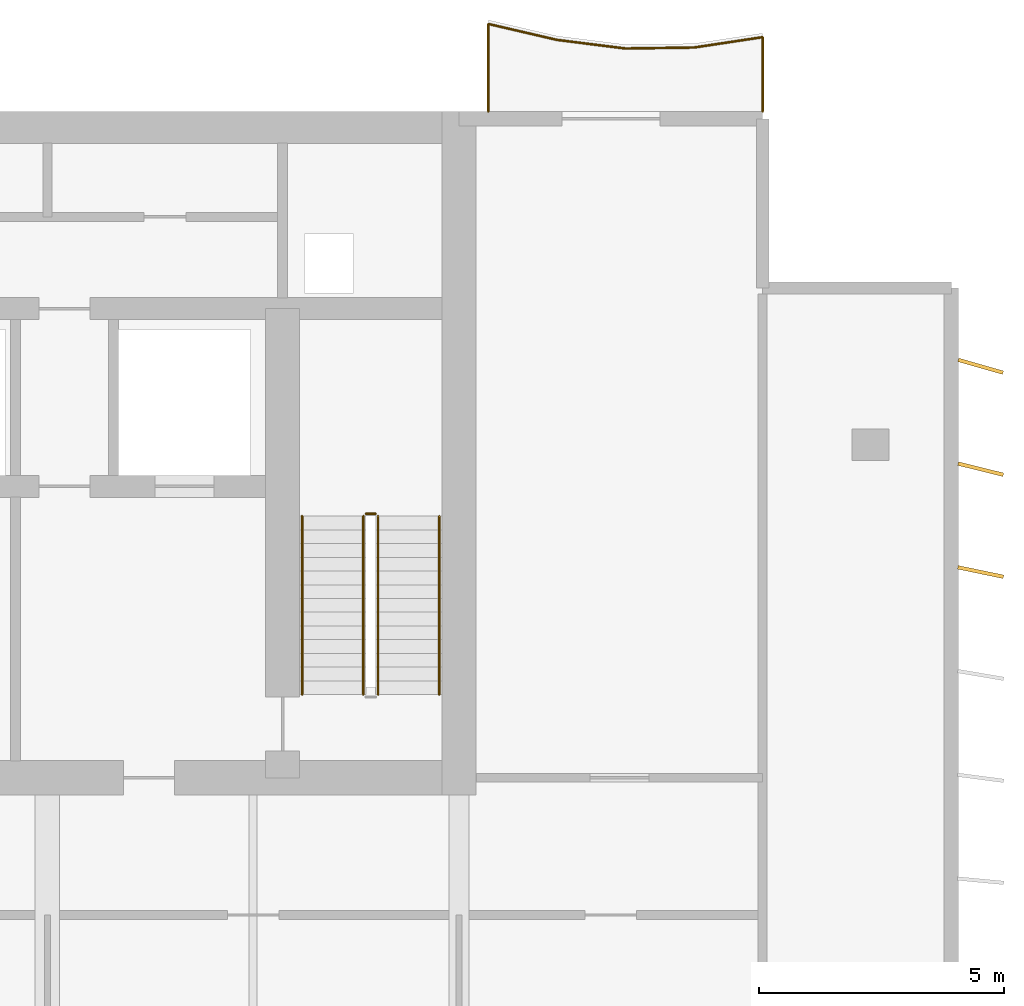
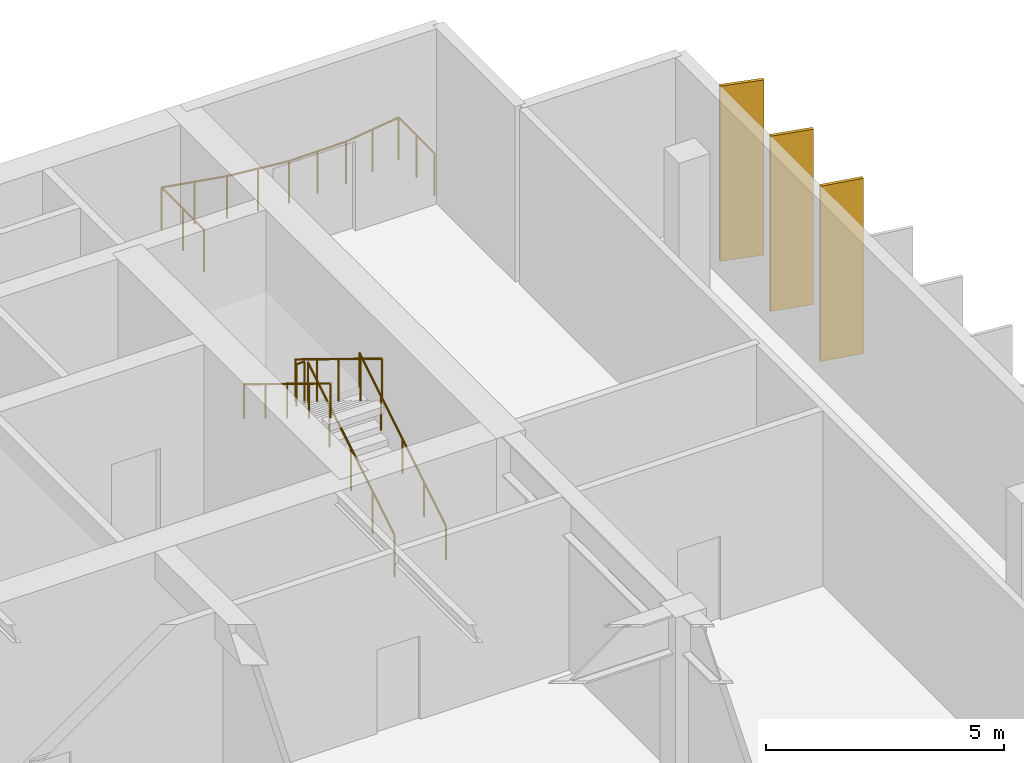
# One storey, part 14 of 14: 6 railings, 3 shading devices.
"""IFC4 building model written with IfcOpenShell, lengths in metres."""

from ifc_helpers import new_model, si_unit, direction, frame, origin, origin_2d, place, context, subcontext, project, spatial, rectangle, circle, extrude, material, material_profile, profile_set, type_object, element, save


model = new_model("IFC4")

# Units and contexts
model_context = context("Model", 3, precision=1e-05, world=origin(), true_north=direction((0.0, 1.0)))
body_context = subcontext(model_context, "Body", "Model", "MODEL_VIEW")
ifc_project = project(units=[si_unit("LENGTHUNIT", "METRE"), si_unit("AREAUNIT", "SQUARE_METRE"), si_unit("VOLUMEUNIT", "CUBIC_METRE"), si_unit("PLANEANGLEUNIT", "RADIAN"), si_unit("MASSUNIT", "GRAM", prefix="KILO")], contexts=[model_context])

# Site, building, storey
site_placement = place(None, origin())
site = spatial("IfcSite", under=ifc_project, at=site_placement, CompositionType="ELEMENT")
building_placement = place(site_placement, origin())
building = spatial("IfcBuilding", under=site, at=building_placement, Name="Caelmar Bay Residences", CompositionType="ELEMENT")
storey_placement = place(building_placement, frame((0.0, 0.0, 269.39990234375)))
storey = spatial("IfcBuildingStorey", under=building, at=storey_placement, Name="L76", CompositionType="ELEMENT", Elevation=269.39990234375)

# Railings
ifc_material_1 = material(Name="Anodised bronze handrail with laminated hurricane glass infill", Category="glass")
railing_type_1 = type_object("IfcRailingType", Name="RL-BAL-1100", PredefinedType="BALUSTRADE", material=ifc_material_1)
railing_1_placement = place(storey_placement, frame((65.699951171875, 50.60009765625, 0.0)))
element("IfcRailing", 1, at=railing_1_placement, inside=storey, type_object=railing_type_1, Name="L76 north_east Balcony Balustrade", PredefinedType="BALUSTRADE", context=body_context, shape_type="SweptSolid", body=[
    extrude(circle(Radius=0.02392578125, at=origin_2d()), frame((0.0, 0.0, 1.076171875), z_axis=(0.0, 1.0, 0.0), x_axis=(-1.0, 0.0, 0.0)), (0.0, 0.0, 1.0), 1.51806640625),
    extrude(circle(Radius=0.02392578125, at=origin_2d()), frame((0.0, 1.51806640625, 1.076171875), z_axis=(-0.988786598686, -0.149335401894, 0.0), x_axis=(0.149335401894, -0.988786598686, 0.0)), (0.0, 0.0, 1.0), 1.415771484375),
    extrude(circle(Radius=0.02392578125, at=origin_2d()), frame((-1.39990234375, 1.306640625, 1.076171875), z_axis=(-0.999895289284, -0.014471021623, 0.0), x_axis=(0.014471021623, -0.999895289284, 0.0)), (0.0, 0.0, 1.0), 1.400390625),
    extrude(circle(Radius=0.02392578125, at=origin_2d()), frame((-2.800048828125, 1.286376953125, 1.076171875), z_axis=(-0.992187101504, 0.124758789708, 0.0), x_axis=(-0.124758789708, -0.992187101504, 0.0)), (0.0, 0.0, 1.0), 1.410888671875),
    extrude(circle(Radius=0.02392578125, at=origin_2d()), frame((-4.199951171875, 1.46240234375, 1.076171875), z_axis=(-0.973988849796, 0.226595940989, 0.0), x_axis=(-0.226595940989, -0.973988849796, 0.0)), (0.0, 0.0, 1.0), 1.437255859375),
    extrude(circle(Radius=0.02392578125, at=origin_2d()), frame((-5.599853515625, 1.7880859375, 1.076171875), z_axis=(0.0, -1.0, 0.0), x_axis=(1.0, 0.0, 0.0)), (0.0, 0.0, 1.0), 1.7880859375),
    extrude(circle(Radius=0.02099609375, at=origin_2d()), origin(), (0.0, 0.0, 1.0), 1.052001953125),
    extrude(circle(Radius=0.02099609375, at=origin_2d()), frame((0.0, 0.759033203125, 0.0)), (0.0, 0.0, 1.0), 1.052001953125),
    extrude(circle(Radius=0.02099609375, at=origin_2d()), frame((0.0, 1.51806640625, 0.0)), (0.0, 0.0, 1.0), 1.052001953125),
    extrude(circle(Radius=0.02099609375, at=origin_2d()), frame((-0.699951171875, 1.412353515625, 0.0)), (0.0, 0.0, 1.0), 1.052001953125),
    extrude(circle(Radius=0.02099609375, at=origin_2d()), frame((-1.39990234375, 1.306640625, 0.0)), (0.0, 0.0, 1.0), 1.052001953125),
    extrude(circle(Radius=0.02099609375, at=origin_2d()), frame((-2.10009765625, 1.29638671875, 0.0)), (0.0, 0.0, 1.0), 1.052001953125),
    extrude(circle(Radius=0.02099609375, at=origin_2d()), frame((-2.800048828125, 1.286376953125, 0.0)), (0.0, 0.0, 1.0), 1.052001953125),
    extrude(circle(Radius=0.02099609375, at=origin_2d()), frame((-3.5, 1.37451171875, 0.0)), (0.0, 0.0, 1.0), 1.052001953125),
    extrude(circle(Radius=0.02099609375, at=origin_2d()), frame((-4.199951171875, 1.46240234375, 0.0)), (0.0, 0.0, 1.0), 1.052001953125),
    extrude(circle(Radius=0.02099609375, at=origin_2d()), frame((-4.89990234375, 1.625244140625, 0.0)), (0.0, 0.0, 1.0), 1.052001953125),
    extrude(circle(Radius=0.02099609375, at=origin_2d()), frame((-5.599853515625, 1.7880859375, 0.0)), (0.0, 0.0, 1.0), 1.052001953125),
    extrude(circle(Radius=0.02099609375, at=origin_2d()), frame((-5.599853515625, 0.89404296875, 0.0)), (0.0, 0.0, 1.0), 1.052001953125),
    extrude(circle(Radius=0.02099609375, at=origin_2d()), frame((-5.599853515625, 0.0, 0.0)), (0.0, 0.0, 1.0), 1.052001953125),
])
ifc_material_2 = material(Name="Painted galvanized steel stair guard 1100 mm", Category="steel")
railing_type_2 = type_object("IfcRailingType", Name="RL-GRD-1100", PredefinedType="GUARDRAIL", material=ifc_material_2)
railing_2_placement = place(storey_placement, frame((57.85009765625, 38.699951171875, 0.171630859375)))
element("IfcRailing", 2, at=railing_2_placement, inside=storey, type_object=railing_type_2, Name="L76 ST2 stair guard 1", PredefinedType="GUARDRAIL", context=body_context, shape_type="SweptSolid", body=[
    extrude(circle(Radius=0.02392578125, at=origin_2d()), frame((0.0, 0.0, 1.076171875), z_axis=(0.0, 0.852865859571, 0.52213008492), x_axis=(-1.0, 0.0, 0.0)), (0.0, 0.0, 1.0), 4.26806640625),
    extrude(circle(Radius=0.02099609375, at=origin_2d()), origin(), (0.0, 0.0, 1.0), 1.052001953125),
    extrude(circle(Radius=0.02099609375, at=origin_2d()), frame((0.0, 0.91015625, 0.55712890625)), (0.0, 0.0, 1.0), 1.052001953125),
    extrude(circle(Radius=0.02099609375, at=origin_2d()), frame((0.0, 1.820068359375, 1.1142578125)), (0.0, 0.0, 1.0), 1.052001953125),
    extrude(circle(Radius=0.02099609375, at=origin_2d()), frame((0.0, 2.72998046875, 1.67138671875)), (0.0, 0.0, 1.0), 1.052001953125),
    extrude(circle(Radius=0.02099609375, at=origin_2d()), frame((0.0, 3.64013671875, 2.228515625)), (0.0, 0.0, 1.0), 1.052001953125),
])
railing_3_placement = place(storey_placement, frame((57.800048828125, 42.389892578125, 2.400146484375)))
element("IfcRailing", 3, at=railing_3_placement, inside=storey, type_object=railing_type_2, Name="L76 ST2 stair guard 2", PredefinedType="GUARDRAIL", context=body_context, shape_type="SweptSolid", body=[
    extrude(circle(Radius=0.02392578125, at=origin_2d()), frame((0.0, 0.0, 1.076171875), z_axis=(-1.0, 0.0, 0.0), x_axis=(0.0, -1.0, 0.0)), (0.0, 0.0, 1.0), 0.199951171875),
    extrude(circle(Radius=0.02099609375, at=origin_2d()), origin(), (0.0, 0.0, 1.0), 1.052001953125),
    extrude(circle(Radius=0.02099609375, at=origin_2d()), frame((-0.199951171875, 0.0, 0.0)), (0.0, 0.0, 1.0), 1.052001953125),
])
railing_4_placement = place(storey_placement, frame((57.550048828125, 42.340087890625, 2.571533203125)))
element("IfcRailing", 4, at=railing_4_placement, inside=storey, type_object=railing_type_2, Name="L76 ST2 stair guard 3", PredefinedType="GUARDRAIL", context=body_context, shape_type="SweptSolid", body=[
    extrude(circle(Radius=0.02392578125, at=origin_2d()), frame((0.0, 0.0, 1.076171875), z_axis=(0.0, -0.852865859571, 0.52213008492), x_axis=(1.0, 0.0, 0.0)), (0.0, 0.0, 1.0), 4.26806640625),
    extrude(circle(Radius=0.02099609375, at=origin_2d()), origin(), (0.0, 0.0, 1.0), 1.052001953125),
    extrude(circle(Radius=0.02099609375, at=origin_2d()), frame((0.0, -0.91015625, 0.55712890625)), (0.0, 0.0, 1.0), 1.052001953125),
    extrude(circle(Radius=0.02099609375, at=origin_2d()), frame((0.0, -1.820068359375, 1.1142578125)), (0.0, 0.0, 1.0), 1.052001953125),
    extrude(circle(Radius=0.02099609375, at=origin_2d()), frame((0.0, -2.72998046875, 1.67138671875)), (0.0, 0.0, 1.0), 1.052001953125),
    extrude(circle(Radius=0.02099609375, at=origin_2d()), frame((0.0, -3.64013671875, 2.228515625)), (0.0, 0.0, 1.0), 1.052001953125),
])
ifc_material_3 = material(Name="Brushed bronze stainless-steel tubular handrail 900 mm", Category="steel")
railing_type_3 = type_object("IfcRailingType", Name="RL-HND-900", PredefinedType="HANDRAIL", material=ifc_material_3)
railing_5_placement = place(storey_placement, frame((59.10009765625, 38.699951171875, 0.171630859375)))
element("IfcRailing", 5, at=railing_5_placement, inside=storey, type_object=railing_type_3, Name="L76 ST2 stair handrail 1", PredefinedType="HANDRAIL", context=body_context, shape_type="SweptSolid", body=[
    extrude(circle(Radius=0.02392578125, at=origin_2d()), frame((0.0, 0.0, 0.8759765625), z_axis=(0.0, 0.852865859571, 0.52213008492), x_axis=(-1.0, 0.0, 0.0)), (0.0, 0.0, 1.0), 4.26806640625),
    extrude(circle(Radius=0.02099609375, at=origin_2d()), origin(), (0.0, 0.0, 1.0), 0.851806640625),
    extrude(circle(Radius=0.02099609375, at=origin_2d()), frame((0.0, 0.91015625, 0.55712890625)), (0.0, 0.0, 1.0), 0.851806640625),
    extrude(circle(Radius=0.02099609375, at=origin_2d()), frame((0.0, 1.820068359375, 1.1142578125)), (0.0, 0.0, 1.0), 0.851806640625),
    extrude(circle(Radius=0.02099609375, at=origin_2d()), frame((0.0, 2.72998046875, 1.67138671875)), (0.0, 0.0, 1.0), 0.851806640625),
    extrude(circle(Radius=0.02099609375, at=origin_2d()), frame((0.0, 3.64013671875, 2.228515625)), (0.0, 0.0, 1.0), 0.851806640625),
])
railing_6_placement = place(storey_placement, frame((56.300048828125, 42.340087890625, 2.571533203125)))
element("IfcRailing", 6, at=railing_6_placement, inside=storey, type_object=railing_type_3, Name="L76 ST2 stair handrail 2", PredefinedType="HANDRAIL", context=body_context, shape_type="SweptSolid", body=[
    extrude(circle(Radius=0.02392578125, at=origin_2d()), frame((0.0, 0.0, 0.8759765625), z_axis=(0.0, -0.852865859571, 0.52213008492), x_axis=(1.0, 0.0, 0.0)), (0.0, 0.0, 1.0), 4.26806640625),
    extrude(circle(Radius=0.02099609375, at=origin_2d()), origin(), (0.0, 0.0, 1.0), 0.851806640625),
    extrude(circle(Radius=0.02099609375, at=origin_2d()), frame((0.0, -0.91015625, 0.55712890625)), (0.0, 0.0, 1.0), 0.851806640625),
    extrude(circle(Radius=0.02099609375, at=origin_2d()), frame((0.0, -1.820068359375, 1.1142578125)), (0.0, 0.0, 1.0), 0.851806640625),
    extrude(circle(Radius=0.02099609375, at=origin_2d()), frame((0.0, -2.72998046875, 1.67138671875)), (0.0, 0.0, 1.0), 0.851806640625),
    extrude(circle(Radius=0.02099609375, at=origin_2d()), frame((0.0, -3.64013671875, 2.228515625)), (0.0, 0.0, 1.0), 0.851806640625),
])

# Shading devices
ifc_material_4 = material(Name="Anodised architectural bronze aluminium 6063-T6", Category="aluminium")
ifc_material_profile = material_profile(ifc_material_4, rectangle(XDim=0.074951171875, YDim=0.949951171875, at=origin_2d()), Name="BRONZE-FIN-75X950")
ifc_profile_set = profile_set([ifc_material_profile], Name="Anodised architectural bronze aluminium 6063-T6")
shading_device_type = type_object("IfcShadingDeviceType", Name="SHD-FIN-950", PredefinedType="USERDEFINED", material=ifc_profile_set)
for number, where, z_axis, x_axis, name in (
    (7, (70.14990234375, 41.199951171875, 0.0), (0.0, 0.0, 1.0), (0.2032999874, 0.979116497217, 0.0), "L76 East Bronze Solar Fin 14"),
    (8, (70.14990234375, 43.300048828125, 0.0), (0.0, 0.0, 1.0), (0.239719743609, 0.970842131618, 0.0), "L76 East Bronze Solar Fin 15"),
    (9, (70.14990234375, 45.39990234375, 0.0), (0.0, 0.0, 1.0), (0.275637355817, 0.961261695938, 0.0), "L76 East Bronze Solar Fin 16"),
):
    element("IfcShadingDevice", number, at=place(storey_placement, frame(where, z_axis=z_axis, x_axis=x_axis)), inside=storey, type_object=shading_device_type, Name=name, ObjectType="FIN", PredefinedType="USERDEFINED", context=body_context, shape_type="SweptSolid", body=[
        extrude(rectangle(XDim=0.074951171875, YDim=0.949951171875, at=origin_2d()), origin(), (0.0, 0.0, 1.0), 4.5),
    ])

save(model, "model.ifc")
